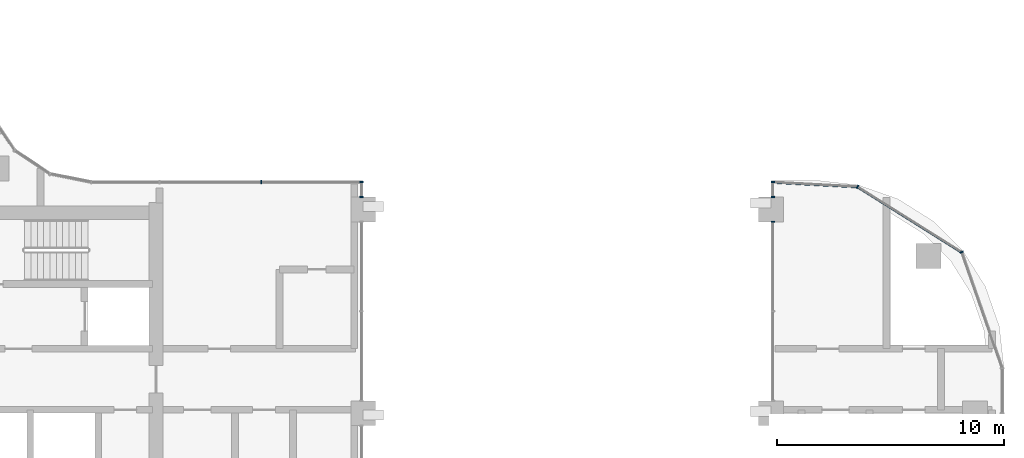
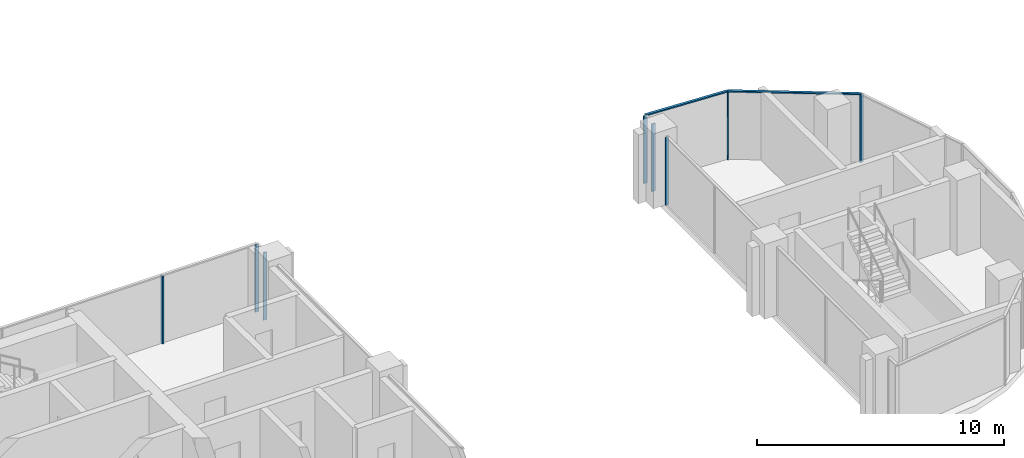
# One storey, part 4 of 23: 10 members, 5 elements without a shape of their own.
"""IFC4 building model written with IfcOpenShell, lengths in metres."""

from ifc_helpers import new_model, si_unit, direction, frame, origin, origin_2d, place, context, subcontext, project, spatial, rectangle, extrude, material, material_profile, profile_set, type_object, element, aggregate, save


model = new_model("IFC4")

# Units and contexts
model_context = context("Model", 3, precision=1e-05, world=origin(), true_north=direction((0.0, 1.0)))
body_context = subcontext(model_context, "Body", "Model", "MODEL_VIEW")
ifc_project = project(units=[si_unit("LENGTHUNIT", "METRE"), si_unit("AREAUNIT", "SQUARE_METRE"), si_unit("VOLUMEUNIT", "CUBIC_METRE"), si_unit("PLANEANGLEUNIT", "RADIAN"), si_unit("MASSUNIT", "GRAM", prefix="KILO")], contexts=[model_context])

# Site, building, storey
site_placement = place(None, origin())
site = spatial("IfcSite", under=ifc_project, at=site_placement, CompositionType="ELEMENT")
building_placement = place(site_placement, origin())
building = spatial("IfcBuilding", under=site, at=building_placement, Name="Ogive Portal Towers", CompositionType="ELEMENT")
storey_placement = place(building_placement, frame((0.0, 0.0, 164.39990234375)))
storey = spatial("IfcBuildingStorey", under=building, at=storey_placement, Name="L40", CompositionType="ELEMENT", Elevation=164.39990234375)

# Curtain wall, members
ifc_material_1 = material(Name="Glass, clear low-iron insulated glazing", Category="glass")
curtain_wall_type_1 = type_object("IfcCurtainWallType", Name="CW PORTAL REVEAL", PredefinedType="NOTDEFINED", material=ifc_material_1)
curtain_wall_1_placement = place(storey_placement, origin())
curtain_wall_1 = element("IfcCurtainWall", 1, at=curtain_wall_1_placement, inside=storey, type_object=curtain_wall_type_1, Name="A:L40:f06:cw0~3", PredefinedType="NOTDEFINED")
ifc_material_2 = material(Name="Aluminium 6063 anodised", Category="aluminium")
ifc_material_profile_1 = material_profile(ifc_material_2, rectangle(XDim=0.159912109375, YDim=0.06005859375, at=origin_2d()), Name="AL 60x160")
ifc_profile_set_1 = profile_set([ifc_material_profile_1], Name="Aluminium 6063 anodised")
member_type_1 = type_object("IfcMemberType", Name="CW MULLION 60x160", PredefinedType="MULLION", material=ifc_profile_set_1)
member_1_placement = place(storey_placement, frame((67.419921875, 40.050048828125, 0.0), z_axis=(0.0, 0.0, 1.0), x_axis=(-1.0, 0.0, 0.0)))
member_1 = element("IfcMember", 2, at=member_1_placement, type_object=member_type_1, Name="mullion", PredefinedType="MULLION", context=body_context, shape_type="SweptSolid", body=[
    extrude(rectangle(XDim=0.159912109375, YDim=0.06005859375, at=origin_2d()), origin(), (0.0, 0.0, 1.0), 3.340087890625),
])
member_2_placement = place(storey_placement, frame((67.419921875, 40.705078125, 0.0), z_axis=(0.0, 0.0, 1.0), x_axis=(-1.0, 0.0, 0.0)))
member_2 = element("IfcMember", 3, at=member_2_placement, type_object=member_type_1, Name="mullion", PredefinedType="MULLION", context=body_context, shape_type="SweptSolid", body=[
    extrude(rectangle(XDim=0.159912109375, YDim=0.06005859375, at=origin_2d()), origin(), (0.0, 0.0, 1.0), 3.340087890625),
])
aggregate(curtain_wall_1, [member_1, member_2])

# Curtain wall, member
curtain_wall_type_2 = type_object("IfcCurtainWallType", Name="CW FRONT RIBBON 4500", PredefinedType="NOTDEFINED", material=ifc_material_1)
curtain_wall_2_placement = place(storey_placement, origin())
curtain_wall_2 = element("IfcCurtainWall", 4, at=curtain_wall_2_placement, inside=storey, type_object=curtain_wall_type_2, Name="A:L40:f07:cw0", PredefinedType="NOTDEFINED")
member_3_placement = place(storey_placement, frame((63.0, 40.705078125, 0.0), z_axis=(0.0, 0.0, 1.0), x_axis=(0.0, -1.0, 0.0)))
member_3 = element("IfcMember", 5, at=member_3_placement, type_object=member_type_1, Name="mullion", PredefinedType="MULLION", context=body_context, shape_type="SweptSolid", body=[
    extrude(rectangle(XDim=0.159912109375, YDim=0.06005859375, at=origin_2d()), origin(), (0.0, 0.0, 1.0), 3.340087890625),
])
aggregate(curtain_wall_2, [member_3])

# Curtain wall, members
curtain_wall_3_placement = place(storey_placement, origin())
curtain_wall_3 = element("IfcCurtainWall", 6, at=curtain_wall_3_placement, inside=storey, type_object=curtain_wall_type_1, Name="A:L40:f22:cw0~0", PredefinedType="NOTDEFINED")
member_4_placement = place(storey_placement, frame((85.580078125, 40.700439453125, 0.0), z_axis=(0.0, 0.0, 1.0), x_axis=(1.0, 0.0, 0.0)))
member_4 = element("IfcMember", 7, at=member_4_placement, type_object=member_type_1, Name="mullion", PredefinedType="MULLION", context=body_context, shape_type="SweptSolid", body=[
    extrude(rectangle(XDim=0.159912109375, YDim=0.06005859375, at=origin_2d()), origin(), (0.0, 0.0, 1.0), 3.340087890625),
])
member_5_placement = place(storey_placement, frame((85.580078125, 40.050048828125, 0.0), z_axis=(0.0, 0.0, 1.0), x_axis=(1.0, 0.0, 0.0)))
member_5 = element("IfcMember", 8, at=member_5_placement, type_object=member_type_1, Name="mullion", PredefinedType="MULLION", context=body_context, shape_type="SweptSolid", body=[
    extrude(rectangle(XDim=0.159912109375, YDim=0.06005859375, at=origin_2d()), origin(), (0.0, 0.0, 1.0), 3.340087890625),
])
aggregate(curtain_wall_3, [member_4, member_5])

# Curtain wall, member
curtain_wall_4_placement = place(storey_placement, origin())
curtain_wall_4 = element("IfcCurtainWall", 9, at=curtain_wall_4_placement, inside=storey, type_object=curtain_wall_type_1, Name="A:L40:f22:cw0~1", PredefinedType="NOTDEFINED")
member_6_placement = place(storey_placement, frame((85.580078125, 38.949951171875, 0.0), z_axis=(0.0, 0.0, 1.0), x_axis=(1.0, 0.0, 0.0)))
member_6 = element("IfcMember", 10, at=member_6_placement, type_object=member_type_1, Name="mullion", PredefinedType="MULLION", context=body_context, shape_type="SweptSolid", body=[
    extrude(rectangle(XDim=0.159912109375, YDim=0.06005859375, at=origin_2d()), origin(), (0.0, 0.0, 1.0), 3.340087890625),
])
aggregate(curtain_wall_4, [member_6])

# Curtain wall, members
curtain_wall_5_placement = place(storey_placement, origin())
curtain_wall_5 = element("IfcCurtainWall", 11, at=curtain_wall_5_placement, inside=storey, type_object=curtain_wall_type_2, Name="A:L40:f27:cwa", PredefinedType="NOTDEFINED")
member_7_placement = place(storey_placement, frame((93.9111328125, 37.61279296875, 0.0), z_axis=(0.0, 0.0, 1.0), x_axis=(-0.943883330307, -0.33027906196, 0.0)))
member_7 = element("IfcMember", 12, at=member_7_placement, type_object=member_type_1, Name="mullion", PredefinedType="MULLION", context=body_context, shape_type="SweptSolid", body=[
    extrude(rectangle(XDim=0.159912109375, YDim=0.06005859375, at=origin_2d()), origin(), (0.0, 0.0, 1.0), 3.340087890625),
])
member_8_placement = place(storey_placement, frame((89.318603515625, 40.49853515625, 0.0), z_axis=(0.0, 0.0, 1.0), x_axis=(-0.532032076517, -0.846724199227, 0.0)))
member_8 = element("IfcMember", 13, at=member_8_placement, type_object=member_type_1, Name="mullion", PredefinedType="MULLION", context=body_context, shape_type="SweptSolid", body=[
    extrude(rectangle(XDim=0.159912109375, YDim=0.06005859375, at=origin_2d()), origin(), (0.0, 0.0, 1.0), 3.340087890625),
])
ifc_material_profile_2 = material_profile(ifc_material_2, rectangle(XDim=0.1201171875, YDim=0.06005859375, at=origin_2d()), Name="AL 120x60")
ifc_profile_set_2 = profile_set([ifc_material_profile_2], Name="Aluminium 6063 anodised")
member_type_2 = type_object("IfcMemberType", Name="CW TRANSOM 60x120", PredefinedType="USERDEFINED", material=ifc_profile_set_2)
member_9_placement = place(storey_placement, frame((93.9111328125, 37.61279296875, 3.3701171875), z_axis=(-0.846718819472, 0.532040638252, 0.0), x_axis=(-0.532040638252, -0.846718819472, 0.0)))
member_9 = element("IfcMember", 14, at=member_9_placement, type_object=member_type_2, Name="transom", ObjectType="TRANSOM", PredefinedType="USERDEFINED", context=body_context, shape_type="SweptSolid", body=[
    extrude(rectangle(XDim=0.1201171875, YDim=0.06005859375, at=origin_2d()), origin(), (0.0, 0.0, 1.0), 5.423828125),
])
member_10_placement = place(storey_placement, frame((89.318603515625, 40.49853515625, 3.3701171875), z_axis=(-0.998544836814, 0.053927811666, 0.0), x_axis=(-0.053927811666, -0.998544836814, 0.0)))
member_10 = element("IfcMember", 15, at=member_10_placement, type_object=member_type_2, Name="transom", ObjectType="TRANSOM", PredefinedType="USERDEFINED", context=body_context, shape_type="SweptSolid", body=[
    extrude(rectangle(XDim=0.1201171875, YDim=0.06005859375, at=origin_2d()), origin(), (0.0, 0.0, 1.0), 3.743896484375),
])
aggregate(curtain_wall_5, [member_9, member_10, member_7, member_8])

save(model, "model.ifc")
